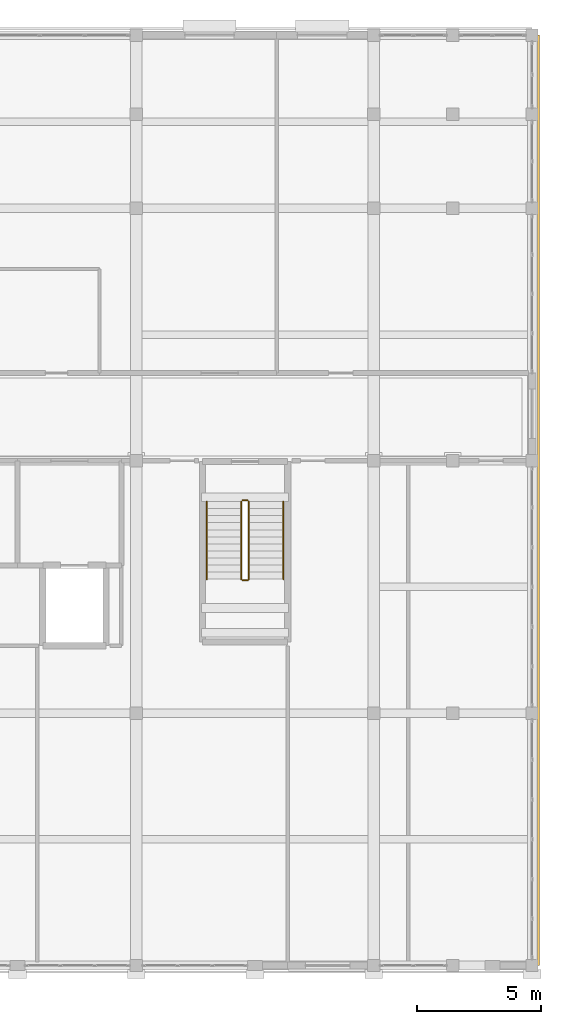
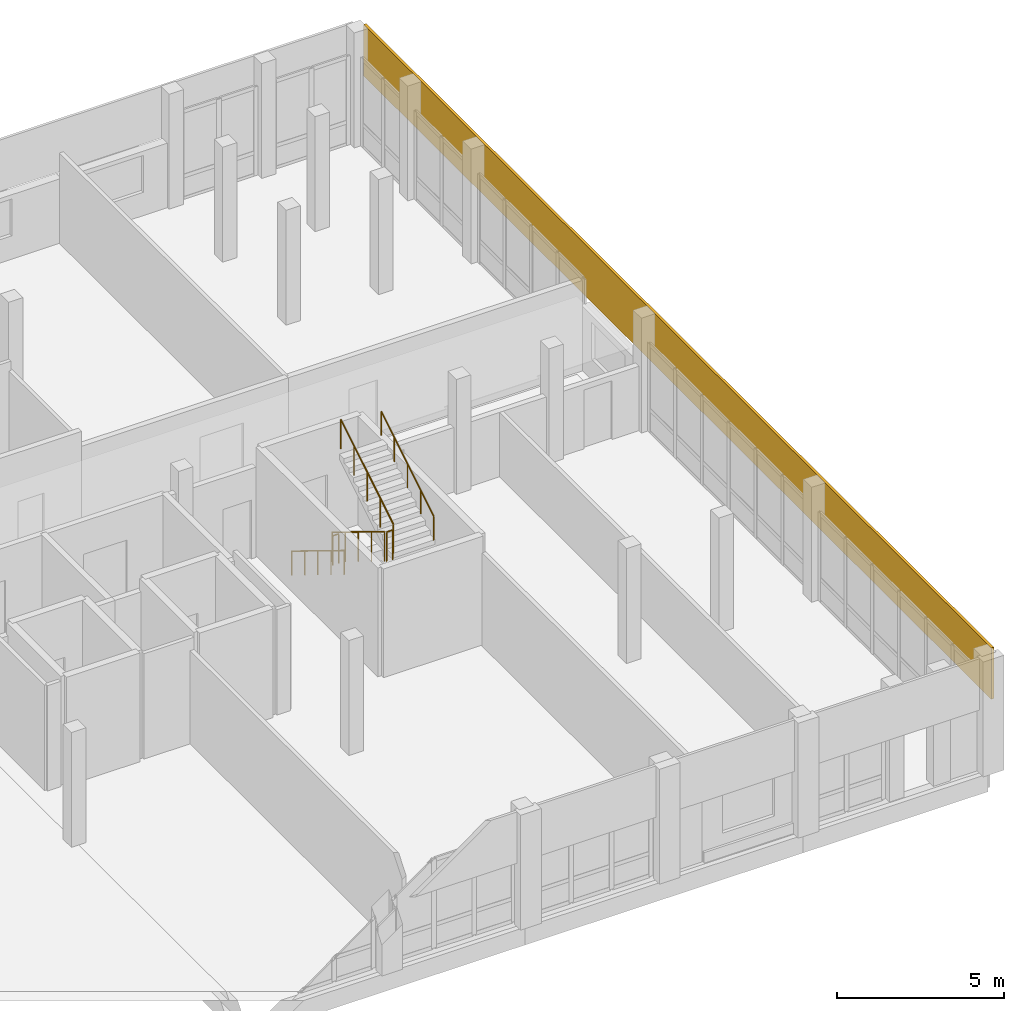
# One storey, part 28 of 29: 6 railings, 1 covering.
"""IFC4 building model written with IfcOpenShell, lengths in metres."""

import ifcopenshell
import ifcopenshell.guid

model = None  # the IFC model being written
_history = None  # IfcOwnerHistory: only IFC2X3 demands one
_inside = {}  # id of a spatial element -> (the spatial element, [elements in it])
_under = {}  # id of a project, library or spatial element -> (it, [spatial elements below it])
_declared = {}  # id of a project -> (the project, [libraries it declares])
_typed = {}  # id of a type object -> (the type object, [elements of that type])
_made_of = {}  # id of a material, layer set ... -> (it, [elements and type objects made of it])


def new_model(schema):
    """Start an empty IFC model of exactly this schema.

    Asked for "IFC4X3", IfcOpenShell would pick the latest addendum, in which some entities
    have other attributes; the version numbers below select the first issue.
    IFC2X3 requires an IfcOwnerHistory on every rooted entity: one is made here for all.
    """
    global model, _history
    if schema == "IFC4X3":
        model = ifcopenshell.file(schema_version=(4, 3, 0, 0))
    else:
        model = ifcopenshell.file(schema=schema)
    _inside.clear()
    _under.clear()
    _declared.clear()
    _typed.clear()
    _made_of.clear()
    _history = None
    if model.schema == "IFC2X3":
        org = make("IfcOrganization", Name="unknown")
        user = make(
            "IfcPersonAndOrganization",
            ThePerson=make("IfcPerson", FamilyName="unknown"),
            TheOrganization=org,
        )
        app = make(
            "IfcApplication",
            ApplicationDeveloper=org,
            Version="unknown",
            ApplicationFullName="unknown",
            ApplicationIdentifier="unknown",
        )
        _history = make(
            "IfcOwnerHistory",
            OwningUser=user,
            OwningApplication=app,
            ChangeAction="ADDED",
            CreationDate=0,
        )
    return model


def make(cls, **values):
    """One entity of the class cls with the attributes given. An attribute that is None is left unset."""
    return model.create_entity(
        cls, **{name: value for name, value in values.items() if value is not None}
    )


def rooted(cls, **values):
    """An entity with a GlobalId (a new one), such as an element, a storey or a relation."""
    return make(cls, GlobalId=ifcopenshell.guid.new(), OwnerHistory=_history, **values)


def si_unit(unit_type, name, prefix=None):
    """IfcSIUnit, for example si_unit("LENGTHUNIT", "METRE", prefix="MILLI")."""
    return make("IfcSIUnit", UnitType=unit_type, Prefix=prefix, Name=name)


def assignment(units):
    """IfcUnitAssignment: the units of a project."""
    return None if units is None else make("IfcUnitAssignment", Units=units)


def point(xyz):
    """IfcCartesianPoint."""
    return None if xyz is None else make("IfcCartesianPoint", Coordinates=xyz)


def direction(xyz):
    """IfcDirection."""
    return None if xyz is None else make("IfcDirection", DirectionRatios=xyz)


def frame(location, z_axis=None, x_axis=None):
    """IfcAxis2Placement3D, a coordinate frame: its origin and axes. An axis left out is left unset."""
    return make(
        "IfcAxis2Placement3D",
        Location=point(location),
        Axis=direction(z_axis),
        RefDirection=direction(x_axis),
    )


def frame_2d(location, x_axis=None):
    """IfcAxis2Placement2D, a coordinate frame in the plane: its origin and x axis."""
    return make(
        "IfcAxis2Placement2D", Location=point(location), RefDirection=direction(x_axis)
    )


def origin():
    """The frame at (0, 0, 0) with its axes left unset."""
    return frame((0.0, 0.0, 0.0))


def origin_2d():
    """The frame at (0, 0) in the plane with its x axis left unset."""
    return frame_2d((0.0, 0.0))


def place(relative_to, where):
    """IfcLocalPlacement: puts the frame where relative to a parent placement (None: the world)."""
    return make(
        "IfcLocalPlacement", PlacementRelTo=relative_to, RelativePlacement=where
    )


def context(
    kind, dimensions, precision=None, world=None, true_north=None, identifier=None
):
    """IfcGeometricRepresentationContext, for example the 3D "Model" context."""
    return make(
        "IfcGeometricRepresentationContext",
        ContextIdentifier=identifier,
        ContextType=kind,
        CoordinateSpaceDimension=dimensions,
        Precision=precision,
        WorldCoordinateSystem=world,
        TrueNorth=true_north,
    )


def subcontext(parent, identifier, kind, view, scale=None):
    """IfcGeometricRepresentationSubContext, for example "Body" below "Model"."""
    return make(
        "IfcGeometricRepresentationSubContext",
        ContextIdentifier=identifier,
        ContextType=kind,
        ParentContext=parent,
        TargetScale=scale,
        TargetView=view,
    )


def project(units=None, contexts=None):
    """IfcProject with its units and contexts."""
    return rooted(
        "IfcProject",
        Name="project",
        RepresentationContexts=contexts,
        UnitsInContext=assignment(units),
    )


def spatial(cls, under=None, at=None, **own):
    """A site, building, storey or space (cls), placed at a placement, below another one or the project."""
    s = rooted(cls, ObjectPlacement=at, **own)
    if under is not None:
        _under.setdefault(under.id(), (under, []))[1].append(s)
    return s


def profile(cls, at=None, kind="AREA", **sizes):
    """A parametric profile (cls). Its sizes go by their IFC names, for example OverallWidth=200.0."""
    return make(cls, ProfileType=kind, Position=at, **sizes)


def rectangle(**sizes):
    """IfcRectangleProfileDef."""
    return profile("IfcRectangleProfileDef", **sizes)


def circle(**sizes):
    """IfcCircleProfileDef."""
    return profile("IfcCircleProfileDef", **sizes)


def extrude(swept, where, along, depth):
    """IfcExtrudedAreaSolid: the profile swept, set in the frame where, extruded along a direction by depth."""
    return make(
        "IfcExtrudedAreaSolid",
        SweptArea=swept,
        Position=where,
        ExtrudedDirection=direction(along),
        Depth=depth,
    )


def shape(context_of_items, identifier, shape_type, items):
    """IfcShapeRepresentation: the items that make up one representation, for example the "Body"."""
    return make(
        "IfcShapeRepresentation",
        ContextOfItems=context_of_items,
        RepresentationIdentifier=identifier,
        RepresentationType=shape_type,
        Items=items,
    )


def material(Name=None, Category=None):
    """IfcMaterial."""
    return make("IfcMaterial", Name=Name, Category=Category)


def layer(
    of_material, thickness, ventilated=None, Name=None, Category=None, Priority=None
):
    """IfcMaterialLayer: one layer of a wall or slab, of a material (None: an air gap)."""
    return make(
        "IfcMaterialLayer",
        Material=of_material,
        LayerThickness=thickness,
        IsVentilated=ventilated,
        Name=Name,
        Category=Category,
        Priority=Priority,
    )


def layer_set(layers, Name=None):
    """IfcMaterialLayerSet."""
    return make("IfcMaterialLayerSet", MaterialLayers=layers, LayerSetName=Name)


def made_of(thing, what):
    """Note that an element or type object is made of a material, layer set ...; save() writes the relation."""
    if what is not None:
        _made_of.setdefault(what.id(), (what, []))[1].append(thing)
    return thing


def type_object(cls, material=None, **own):
    """A type object (cls), such as IfcWallType, which elements share."""
    return made_of(rooted(cls, **own), material)


def element(
    cls,
    number,
    at=None,
    inside=None,
    cuts=None,
    type_object=None,
    material=None,
    context=None,
    identifier="Body",
    shape_type=None,
    held_by="IfcProductDefinitionShape",
    body=None,
    shapes=None,
    **own,
):
    """One element of the class cls, such as IfcWall. Its Tag is "e" and its number.

    at: its placement. inside: the storey or other place that contains it. cuts: it is an
    opening in that element (IfcRelVoidsElement). A single representation is given by context,
    identifier, shape_type and body (its items); several are given by shapes. held_by: the class
    of the entity that holds the representations. save() writes the other relations.
    """
    e = rooted(cls, Tag="e%d" % number, ObjectPlacement=at, **own)
    if body is not None:
        shapes = [shape(context, identifier, shape_type, body)]
    if shapes is not None:
        e.Representation = make(held_by, Representations=shapes)
    if inside is not None:
        _inside.setdefault(inside.id(), (inside, []))[1].append(e)
    if cuts is not None:
        rooted(
            "IfcRelVoidsElement", RelatingBuildingElement=cuts, RelatedOpeningElement=e
        )
    if type_object is not None:
        _typed.setdefault(type_object.id(), (type_object, []))[1].append(e)
    return made_of(e, material)


def aggregate(whole, parts):
    """IfcRelAggregates: a whole, such as a stair, and the parts it consists of."""
    return rooted("IfcRelAggregates", RelatingObject=whole, RelatedObjects=parts)


def save(model, path):
    """Write the relations noted so far, then the file.

    IfcRelAggregates (storeys below a building ...), IfcRelContainedInSpatialStructure (elements
    in a storey), IfcRelDefinesByType, IfcRelAssociatesMaterial and IfcRelDeclares: one each for
    every whole, place, type object, material and project.
    """
    for whole, parts in _under.values():
        aggregate(whole, parts)
    for where, things in _inside.values():
        rooted(
            "IfcRelContainedInSpatialStructure",
            RelatedElements=things,
            RelatingStructure=where,
        )
    for kind, things in _typed.values():
        rooted("IfcRelDefinesByType", RelatedObjects=things, RelatingType=kind)
    for what, things in _made_of.values():
        rooted("IfcRelAssociatesMaterial", RelatedObjects=things, RelatingMaterial=what)
    for by, libraries in _declared.values():
        rooted("IfcRelDeclares", RelatingContext=by, RelatedDefinitions=libraries)
    model.write(path)


model = new_model("IFC4")

# Units and contexts
model_context = context("Model", 3, precision=1e-05, world=origin(), true_north=direction((0.0, 1.0)))
body_context = subcontext(model_context, "Body", "Model", "MODEL_VIEW")
ifc_project = project(units=[si_unit("LENGTHUNIT", "METRE"), si_unit("AREAUNIT", "SQUARE_METRE"), si_unit("VOLUMEUNIT", "CUBIC_METRE"), si_unit("PLANEANGLEUNIT", "RADIAN"), si_unit("MASSUNIT", "GRAM", prefix="KILO")], contexts=[model_context])

# Site, building, storey
site_placement = place(None, origin())
site = spatial("IfcSite", under=ifc_project, at=site_placement, CompositionType="ELEMENT")
building_placement = place(site_placement, origin())
building = spatial("IfcBuilding", under=site, at=building_placement, Name="Vondelvale Polytechnic", CompositionType="ELEMENT")
storey_placement = place(building_placement, frame((0.0, 0.0, 26.39990234375)))
storey = spatial("IfcBuildingStorey", under=building, at=storey_placement, Name="L06", CompositionType="ELEMENT", Elevation=26.39990234375)

# Covering
ifc_material_1 = material(Name="Amsterdam School iron-spot clinker clay brickwork", Category="masonry")
ifc_layer_1 = layer(ifc_material_1, 0.090087890625)
ifc_layer_set_1 = layer_set([ifc_layer_1], Name="COV-BRICK-RELIEF")
covering_type = type_object("IfcCoveringType", Name="COV-BRICK-RELIEF", PredefinedType="CLADDING", material=ifc_layer_set_1)
covering_placement = place(storey_placement, frame((45.06494140625, 18.800048828125, 2.320068359375), z_axis=(0.0, 0.0, 1.0), x_axis=(0.0, 1.0, 0.0)))
element("IfcCovering", 1, at=covering_placement, inside=storey, type_object=covering_type, Name="L06 exterior masonry spandrel band", PredefinedType="CLADDING", context=body_context, shape_type="SweptSolid", body=[
    extrude(rectangle(XDim=37.60009765625, YDim=0.090087890625, at=origin_2d()), origin(), (0.0, 0.0, 1.0), 1.8798828125),
])

# Railings
ifc_material_2 = material(Name="Brushed architectural stainless and zinc-coated metal")
ifc_layer_2 = layer(ifc_material_2, 0.050048828125)
ifc_layer_set_2 = layer_set([ifc_layer_2], Name="RL-STAIR-GUARD")
railing_type_1 = type_object("IfcRailingType", Name="RL-STAIR-GUARD", PredefinedType="GUARDRAIL", material=ifc_layer_set_2)
railing_1_placement = place(storey_placement, frame((33.050048828125, 18.75, 0.175048828125)))
element("IfcRailing", 2, at=railing_1_placement, inside=storey, type_object=railing_type_1, Name="L06 ST-04 stair guard 1", PredefinedType="GUARDRAIL", context=body_context, shape_type="SweptSolid", body=[
    extrude(circle(Radius=0.02392578125, at=origin_2d()), frame((0.0, 0.0, 1.076171875), z_axis=(0.0, -0.852166034122, 0.523271488128), x_axis=(1.0, 0.0, 0.0)), (0.0, 0.0, 1.0), 3.678955078125),
    extrude(circle(Radius=0.02099609375, at=origin_2d()), origin(), (0.0, 0.0, 1.0), 1.052001953125),
    extrude(circle(Radius=0.02099609375, at=origin_2d()), frame((0.0, -0.78369140625, 0.481201171875)), (0.0, 0.0, 1.0), 1.052001953125),
    extrude(circle(Radius=0.02099609375, at=origin_2d()), frame((0.0, -1.5673828125, 0.96240234375)), (0.0, 0.0, 1.0), 1.052001953125),
    extrude(circle(Radius=0.02099609375, at=origin_2d()), frame((0.0, -2.351318359375, 1.44384765625)), (0.0, 0.0, 1.0), 1.052001953125),
    extrude(circle(Radius=0.02099609375, at=origin_2d()), frame((0.0, -3.135009765625, 1.925048828125)), (0.0, 0.0, 1.0), 1.052001953125),
])
railing_2_placement = place(storey_placement, frame((33.10009765625, 15.56494140625, 2.10009765625)))
element("IfcRailing", 3, at=railing_2_placement, inside=storey, type_object=railing_type_1, Name="L06 ST-04 stair guard 2", PredefinedType="GUARDRAIL", context=body_context, shape_type="SweptSolid", body=[
    extrude(circle(Radius=0.02392578125, at=origin_2d()), frame((0.0, 0.0, 1.076171875), z_axis=(1.0, 0.0, 0.0), x_axis=(0.0, 1.0, 0.0)), (0.0, 0.0, 1.0), 0.199951171875),
    extrude(circle(Radius=0.02099609375, at=origin_2d()), origin(), (0.0, 0.0, 1.0), 1.052001953125),
    extrude(circle(Radius=0.02099609375, at=origin_2d()), frame((0.199951171875, 0.0, 0.0)), (0.0, 0.0, 1.0), 1.052001953125),
])
railing_3_placement = place(storey_placement, frame((33.35009765625, 15.614990234375, 2.275146484375)))
element("IfcRailing", 4, at=railing_3_placement, inside=storey, type_object=railing_type_1, Name="L06 ST-04 stair guard 3", PredefinedType="GUARDRAIL", context=body_context, shape_type="SweptSolid", body=[
    extrude(circle(Radius=0.02392578125, at=origin_2d()), frame((0.0, 0.0, 1.076171875), z_axis=(0.0, 0.852166034122, 0.523271488128), x_axis=(-1.0, 0.0, 0.0)), (0.0, 0.0, 1.0), 3.678955078125),
    extrude(circle(Radius=0.02099609375, at=origin_2d()), origin(), (0.0, 0.0, 1.0), 1.052001953125),
    extrude(circle(Radius=0.02099609375, at=origin_2d()), frame((0.0, 0.78369140625, 0.481201171875)), (0.0, 0.0, 1.0), 1.052001953125),
    extrude(circle(Radius=0.02099609375, at=origin_2d()), frame((0.0, 1.5673828125, 0.96240234375)), (0.0, 0.0, 1.0), 1.052001953125),
    extrude(circle(Radius=0.02099609375, at=origin_2d()), frame((0.0, 2.351318359375, 1.44384765625)), (0.0, 0.0, 1.0), 1.052001953125),
    extrude(circle(Radius=0.02099609375, at=origin_2d()), frame((0.0, 3.135009765625, 1.925048828125)), (0.0, 0.0, 1.0), 1.052001953125),
])
railing_4_placement = place(storey_placement, frame((33.10009765625, 18.800048828125, 0.0)))
element("IfcRailing", 5, at=railing_4_placement, inside=storey, type_object=railing_type_1, Name="L06 ST-04 stair guard 4", PredefinedType="GUARDRAIL", context=body_context, shape_type="SweptSolid", body=[
    extrude(circle(Radius=0.02392578125, at=origin_2d()), frame((0.0, 0.0, 1.076171875), z_axis=(1.0, 0.0, 0.0), x_axis=(0.0, 1.0, 0.0)), (0.0, 0.0, 1.0), 0.199951171875),
    extrude(circle(Radius=0.02099609375, at=origin_2d()), origin(), (0.0, 0.0, 1.0), 1.052001953125),
    extrude(circle(Radius=0.02099609375, at=origin_2d()), frame((0.199951171875, 0.0, 0.0)), (0.0, 0.0, 1.0), 1.052001953125),
])
ifc_layer_3 = layer(ifc_material_2, 0.048095703125)
ifc_layer_set_3 = layer_set([ifc_layer_3], Name="RL-STAIR-HANDRAIL")
railing_type_2 = type_object("IfcRailingType", Name="RL-STAIR-HANDRAIL", PredefinedType="HANDRAIL", material=ifc_layer_set_3)
railing_5_placement = place(storey_placement, frame((31.64990234375, 18.75, 0.175048828125)))
element("IfcRailing", 6, at=railing_5_placement, inside=storey, type_object=railing_type_2, Name="L06 ST-04 stair handrail 1", PredefinedType="HANDRAIL", context=body_context, shape_type="SweptSolid", body=[
    extrude(circle(Radius=0.02392578125, at=origin_2d()), frame((0.0, 0.0, 0.8759765625), z_axis=(0.0, -0.852166034122, 0.523271488128), x_axis=(1.0, 0.0, 0.0)), (0.0, 0.0, 1.0), 3.678955078125),
    extrude(circle(Radius=0.02099609375, at=origin_2d()), origin(), (0.0, 0.0, 1.0), 0.851806640625),
    extrude(circle(Radius=0.02099609375, at=origin_2d()), frame((0.0, -0.78369140625, 0.481201171875)), (0.0, 0.0, 1.0), 0.851806640625),
    extrude(circle(Radius=0.02099609375, at=origin_2d()), frame((0.0, -1.5673828125, 0.96240234375)), (0.0, 0.0, 1.0), 0.851806640625),
    extrude(circle(Radius=0.02099609375, at=origin_2d()), frame((0.0, -2.351318359375, 1.44384765625)), (0.0, 0.0, 1.0), 0.851806640625),
    extrude(circle(Radius=0.02099609375, at=origin_2d()), frame((0.0, -3.135009765625, 1.925048828125)), (0.0, 0.0, 1.0), 0.851806640625),
])
railing_6_placement = place(storey_placement, frame((34.75, 15.614990234375, 2.275146484375)))
element("IfcRailing", 7, at=railing_6_placement, inside=storey, type_object=railing_type_2, Name="L06 ST-04 stair handrail 2", PredefinedType="HANDRAIL", context=body_context, shape_type="SweptSolid", body=[
    extrude(circle(Radius=0.02392578125, at=origin_2d()), frame((0.0, 0.0, 0.8759765625), z_axis=(0.0, 0.852166034122, 0.523271488128), x_axis=(-1.0, 0.0, 0.0)), (0.0, 0.0, 1.0), 3.678955078125),
    extrude(circle(Radius=0.02099609375, at=origin_2d()), origin(), (0.0, 0.0, 1.0), 0.851806640625),
    extrude(circle(Radius=0.02099609375, at=origin_2d()), frame((0.0, 0.78369140625, 0.481201171875)), (0.0, 0.0, 1.0), 0.851806640625),
    extrude(circle(Radius=0.02099609375, at=origin_2d()), frame((0.0, 1.5673828125, 0.96240234375)), (0.0, 0.0, 1.0), 0.851806640625),
    extrude(circle(Radius=0.02099609375, at=origin_2d()), frame((0.0, 2.351318359375, 1.44384765625)), (0.0, 0.0, 1.0), 0.851806640625),
    extrude(circle(Radius=0.02099609375, at=origin_2d()), frame((0.0, 3.135009765625, 1.925048828125)), (0.0, 0.0, 1.0), 0.851806640625),
])

save(model, "model.ifc")
